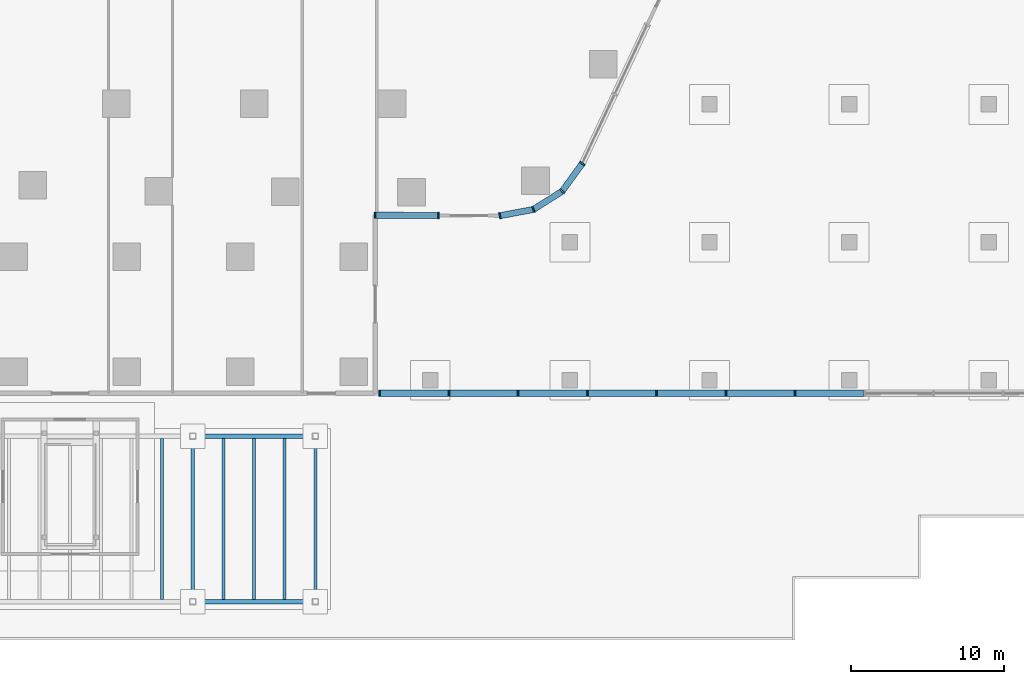
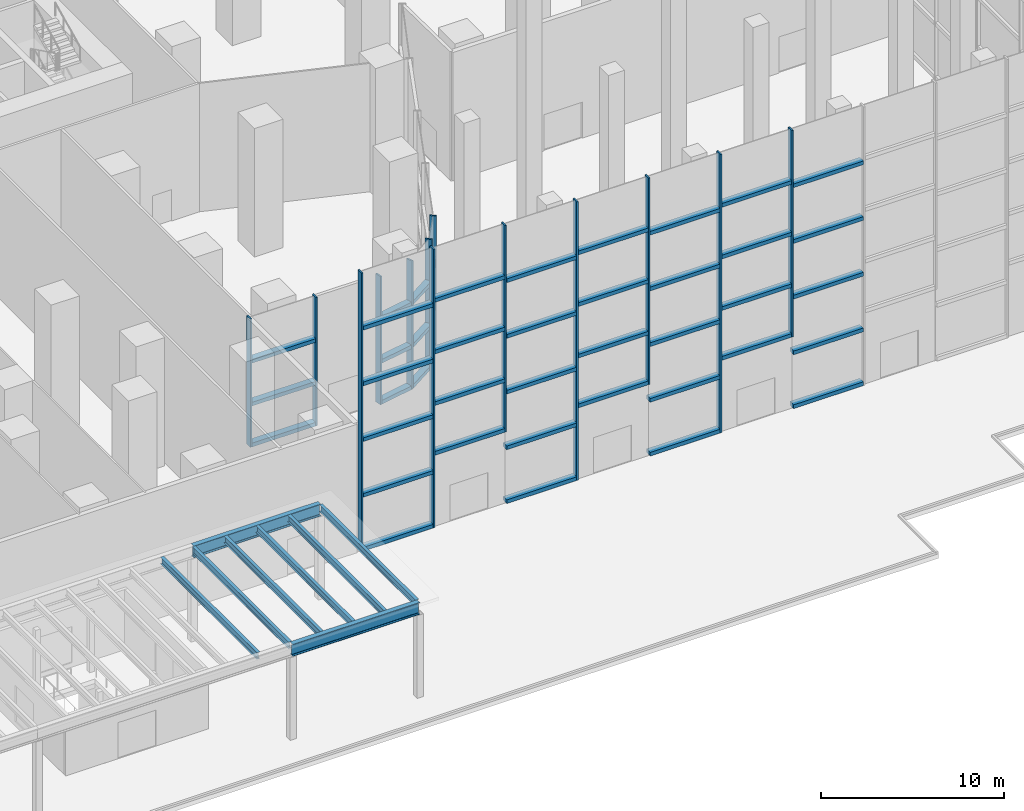
# One storey, part 11 of 40: 57 members, 8 beams, 9 elements without a shape of their own.
"""IFC4 building model written with IfcOpenShell, lengths in metres."""

from ifc_helpers import new_model, si_unit, direction, frame, origin, origin_2d, place, context, subcontext, project, spatial, rectangle, i_section, extrude, material, layer, layer_set, material_profile, profile_set, type_object, element, aggregate, save


model = new_model("IFC4")

# Units and contexts
model_context = context("Model", 3, precision=1e-05, world=origin(), true_north=direction((0.0, 1.0)))
body_context = subcontext(model_context, "Body", "Model", "MODEL_VIEW")
ifc_project = project(units=[si_unit("LENGTHUNIT", "METRE"), si_unit("AREAUNIT", "SQUARE_METRE"), si_unit("VOLUMEUNIT", "CUBIC_METRE"), si_unit("PLANEANGLEUNIT", "RADIAN"), si_unit("MASSUNIT", "GRAM", prefix="KILO")], contexts=[model_context])

# Site, building, storey
site_placement = place(None, origin())
site = spatial("IfcSite", under=ifc_project, at=site_placement, CompositionType="ELEMENT")
building_placement = place(site_placement, origin())
building = spatial("IfcBuilding", under=site, at=building_placement, Name="Dongbaek Canopy Tower", CompositionType="ELEMENT")
storey_placement = place(building_placement, origin())
storey = spatial("IfcBuildingStorey", under=building, at=storey_placement, Name="L00", CompositionType="ELEMENT", Elevation=0.0)

# Curtain wall, members
ifc_material_1 = material(Name="Aluminium 6063-T6 pale anodised", Category="aluminium")
ifc_layer = layer(ifc_material_1, 0.39990234375)
ifc_layer_set = layer_set([ifc_layer], Name="CW-3 lobby double-height curtain wall")
curtain_wall_type = type_object("IfcCurtainWallType", Name="CW-3 lobby double-height curtain wall", PredefinedType="NOTDEFINED", material=ifc_layer_set)
curtain_wall_1_placement = place(storey_placement, origin())
curtain_wall_1 = element("IfcCurtainWall", 1, at=curtain_wall_1_placement, inside=storey, type_object=curtain_wall_type, Name="CW-3 curtain wall K0.1", PredefinedType="NOTDEFINED")
ifc_material_2 = material(Name="Aluminium 6063-T6 pale anodised", Category="aluminium")
ifc_material_profile_1 = material_profile(ifc_material_2, rectangle(XDim=0.39990234375, YDim=0.10009765625, at=origin_2d()), Name="CW-3 mullion 100 x 400")
ifc_profile_set_1 = profile_set([ifc_material_profile_1], Name="Aluminium 6063-T6 pale anodised")
member_type_1 = type_object("IfcMemberType", Name="CW-3 mullion 100 x 400", PredefinedType="MULLION", material=ifc_profile_set_1)
member_1_placement = place(storey_placement, frame((16.03662109375, -34.31591796875, 0.0), z_axis=(0.0, 0.0, 1.0), x_axis=(0.184024020391, -0.98292174659, 0.0)))
member_1 = element("IfcMember", 2, at=member_1_placement, type_object=member_type_1, Name="CW-3 mullion K0.1.1", PredefinedType="MULLION", context=body_context, shape_type="SweptSolid", body=[
    extrude(rectangle(XDim=0.39990234375, YDim=0.10009765625, at=origin_2d()), origin(), (0.0, 0.0, 1.0), 8.550048828125),
])
member_2_placement = place(storey_placement, frame((18.23095703125, -33.9052734375, 0.0), z_axis=(0.0, 0.0, 1.0), x_axis=(0.365922378018, -0.930645374601, 0.0)))
member_2 = element("IfcMember", 3, at=member_2_placement, type_object=member_type_1, Name="CW-3 mullion K0.1.2", PredefinedType="MULLION", context=body_context, shape_type="SweptSolid", body=[
    extrude(rectangle(XDim=0.39990234375, YDim=0.10009765625, at=origin_2d()), origin(), (0.0, 0.0, 1.0), 8.550048828125),
])
member_3_placement = place(storey_placement, frame((20.10888671875, -32.716796875, 0.0), z_axis=(0.0, 0.0, 1.0), x_axis=(0.684351137635, -0.729152604342, 0.0)))
member_3 = element("IfcMember", 4, at=member_3_placement, type_object=member_type_1, Name="CW-3 mullion K0.1.3", PredefinedType="MULLION", context=body_context, shape_type="SweptSolid", body=[
    extrude(rectangle(XDim=0.39990234375, YDim=0.10009765625, at=origin_2d()), origin(), (0.0, 0.0, 1.0), 8.550048828125),
])
member_4_placement = place(storey_placement, frame((21.419677734375, -30.909912109375, 0.0), z_axis=(0.0, 0.0, 1.0), x_axis=(0.809475494092, -0.587153663418, 0.0)))
member_4 = element("IfcMember", 5, at=member_4_placement, type_object=member_type_1, Name="CW-3 mullion K0.1.4", PredefinedType="MULLION", context=body_context, shape_type="SweptSolid", body=[
    extrude(rectangle(XDim=0.39990234375, YDim=0.10009765625, at=origin_2d()), origin(), (0.0, 0.0, 1.0), 8.550048828125),
])

curtain_wall_2_placement = place(storey_placement, origin())
curtain_wall_2 = element("IfcCurtainWall", 6, at=curtain_wall_2_placement, inside=storey, type_object=curtain_wall_type, Name="CW-3 curtain wall F17.1", PredefinedType="NOTDEFINED")
member_5_placement = place(storey_placement, frame((7.89990234375, -34.27978515625, 0.0), z_axis=(0.0, 0.0, 1.0), x_axis=(-0.004466151006, -0.999990026698, 0.0)))
member_5 = element("IfcMember", 7, at=member_5_placement, type_object=member_type_1, Name="CW-3 mullion F17.1.1", PredefinedType="MULLION", context=body_context, shape_type="SweptSolid", body=[
    extrude(rectangle(XDim=0.39990234375, YDim=0.10009765625, at=origin_2d()), origin(), (0.0, 0.0, 1.0), 8.550048828125),
])
member_6_placement = place(storey_placement, frame((12.0234375, -34.298095703125, 0.0), z_axis=(0.0, 0.0, 1.0), x_axis=(-0.004466151006, -0.999990026698, 0.0)))
member_6 = element("IfcMember", 8, at=member_6_placement, type_object=member_type_1, Name="CW-3 mullion F17.1.2", PredefinedType="MULLION", context=body_context, shape_type="SweptSolid", body=[
    extrude(rectangle(XDim=0.39990234375, YDim=0.10009765625, at=origin_2d()), origin(), (0.0, 0.0, 1.0), 8.550048828125),
])

curtain_wall_3_placement = place(storey_placement, origin())
curtain_wall_3 = element("IfcCurtainWall", 9, at=curtain_wall_3_placement, inside=storey, type_object=curtain_wall_type, Name="CW-3 curtain wall HSS.1", PredefinedType="NOTDEFINED")
member_7_placement = place(storey_placement, frame((8.199951171875, -45.89990234375, 0.0), z_axis=(0.0, 0.0, 1.0), x_axis=(0.0, -1.0, 0.0)))
member_7 = element("IfcMember", 10, at=member_7_placement, type_object=member_type_1, Name="CW-3 mullion HSS.1.1", PredefinedType="MULLION", context=body_context, shape_type="SweptSolid", body=[
    extrude(rectangle(XDim=0.39990234375, YDim=0.10009765625, at=origin_2d()), origin(), (0.0, 0.0, 1.0), 18.550048828125),
])
member_8_placement = place(storey_placement, frame((12.71826171875, -45.89990234375, 0.0), z_axis=(0.0, 0.0, 1.0), x_axis=(0.0, -1.0, 0.0)))
member_8 = element("IfcMember", 11, at=member_8_placement, type_object=member_type_1, Name="CW-3 mullion HSS.1.2", PredefinedType="MULLION", context=body_context, shape_type="SweptSolid", body=[
    extrude(rectangle(XDim=0.39990234375, YDim=0.10009765625, at=origin_2d()), origin(), (0.0, 0.0, 1.0), 18.550048828125),
])

# Curtain wall, member
curtain_wall_4_placement = place(storey_placement, origin())
curtain_wall_4 = element("IfcCurtainWall", 12, at=curtain_wall_4_placement, inside=storey, type_object=curtain_wall_type, Name="CW-3 curtain wall HSS.2U", PredefinedType="NOTDEFINED")
member_9_placement = place(storey_placement, frame((17.236328125, -45.89990234375, 4.800048828125), z_axis=(0.0, 0.0, 1.0), x_axis=(0.0, -1.0, 0.0)))
member_9 = element("IfcMember", 13, at=member_9_placement, type_object=member_type_1, Name="CW-3 mullion HSS.2U.2", PredefinedType="MULLION", context=body_context, shape_type="SweptSolid", body=[
    extrude(rectangle(XDim=0.39990234375, YDim=0.10009765625, at=origin_2d()), origin(), (0.0, 0.0, 1.0), 13.75),
])

curtain_wall_5_placement = place(storey_placement, origin())
curtain_wall_5 = element("IfcCurtainWall", 14, at=curtain_wall_5_placement, inside=storey, type_object=curtain_wall_type, Name="CW-3 curtain wall HSS.2", PredefinedType="NOTDEFINED")
member_10_placement = place(storey_placement, frame((21.754638671875, -45.89990234375, 0.0), z_axis=(0.0, 0.0, 1.0), x_axis=(0.0, -1.0, 0.0)))
member_10 = element("IfcMember", 15, at=member_10_placement, type_object=member_type_1, Name="CW-3 mullion HSS.2.2", PredefinedType="MULLION", context=body_context, shape_type="SweptSolid", body=[
    extrude(rectangle(XDim=0.39990234375, YDim=0.10009765625, at=origin_2d()), origin(), (0.0, 0.0, 1.0), 18.550048828125),
])

curtain_wall_6_placement = place(storey_placement, origin())
curtain_wall_6 = element("IfcCurtainWall", 16, at=curtain_wall_6_placement, inside=storey, type_object=curtain_wall_type, Name="CW-3 curtain wall HSS.4U", PredefinedType="NOTDEFINED")
member_11_placement = place(storey_placement, frame((26.272705078125, -45.89990234375, 4.800048828125), z_axis=(0.0, 0.0, 1.0), x_axis=(0.0, -1.0, 0.0)))
member_11 = element("IfcMember", 17, at=member_11_placement, type_object=member_type_1, Name="CW-3 mullion HSS.4U.2", PredefinedType="MULLION", context=body_context, shape_type="SweptSolid", body=[
    extrude(rectangle(XDim=0.39990234375, YDim=0.10009765625, at=origin_2d()), origin(), (0.0, 0.0, 1.0), 13.75),
])

curtain_wall_7_placement = place(storey_placement, origin())
curtain_wall_7 = element("IfcCurtainWall", 18, at=curtain_wall_7_placement, inside=storey, type_object=curtain_wall_type, Name="CW-3 curtain wall HSS.3", PredefinedType="NOTDEFINED")
member_12_placement = place(storey_placement, frame((30.791015625, -45.89990234375, 0.0), z_axis=(0.0, 0.0, 1.0), x_axis=(0.0, -1.0, 0.0)))
member_12 = element("IfcMember", 19, at=member_12_placement, type_object=member_type_1, Name="CW-3 mullion HSS.3.2", PredefinedType="MULLION", context=body_context, shape_type="SweptSolid", body=[
    extrude(rectangle(XDim=0.39990234375, YDim=0.10009765625, at=origin_2d()), origin(), (0.0, 0.0, 1.0), 18.550048828125),
])

curtain_wall_8_placement = place(storey_placement, origin())
curtain_wall_8 = element("IfcCurtainWall", 20, at=curtain_wall_8_placement, inside=storey, type_object=curtain_wall_type, Name="CW-3 curtain wall HSS.6U", PredefinedType="NOTDEFINED")
member_13_placement = place(storey_placement, frame((35.30908203125, -45.89990234375, 4.800048828125), z_axis=(0.0, 0.0, 1.0), x_axis=(0.0, -1.0, 0.0)))
member_13 = element("IfcMember", 21, at=member_13_placement, type_object=member_type_1, Name="CW-3 mullion HSS.6U.2", PredefinedType="MULLION", context=body_context, shape_type="SweptSolid", body=[
    extrude(rectangle(XDim=0.39990234375, YDim=0.10009765625, at=origin_2d()), origin(), (0.0, 0.0, 1.0), 13.75),
])

# Member
ifc_material_3 = material(Name="Aluminium 6063-T6 pale anodised", Category="aluminium")
ifc_material_profile_2 = material_profile(ifc_material_3, rectangle(XDim=0.39990234375, YDim=0.25, at=origin_2d()), Name="CW-3 transom 250 x 400")
ifc_profile_set_2 = profile_set([ifc_material_profile_2], Name="Aluminium 6063-T6 pale anodised")
member_type_2 = type_object("IfcMemberType", Name="CW-3 transom 250 x 400", PredefinedType="USERDEFINED", material=ifc_profile_set_2)
member_14_placement = place(storey_placement, frame((16.09765625, -34.3046875, 0.125), z_axis=(0.982903635036, 0.184120732765, 0.0), x_axis=(-0.184120732765, 0.982903635036, 0.0)))
member_14 = element("IfcMember", 22, at=member_14_placement, type_object=member_type_2, Name="CW-3 transom K0.1.1.1", ObjectType="TRANSOM", PredefinedType="USERDEFINED", context=body_context, shape_type="SweptSolid", body=[
    extrude(rectangle(XDim=0.39990234375, YDim=0.25, at=origin_2d()), origin(), (0.0, 0.0, 1.0), 2.1083984375),
])

member_15_placement = place(storey_placement, frame((16.09765625, -34.3046875, 2.85009765625), z_axis=(0.982903635036, 0.184120732765, 0.0), x_axis=(-0.184120732765, 0.982903635036, 0.0)))
member_15 = element("IfcMember", 23, at=member_15_placement, type_object=member_type_2, Name="CW-3 transom K0.1.1.2", ObjectType="TRANSOM", PredefinedType="USERDEFINED", context=body_context, shape_type="SweptSolid", body=[
    extrude(rectangle(XDim=0.39990234375, YDim=0.25, at=origin_2d()), origin(), (0.0, 0.0, 1.0), 2.1083984375),
])

member_16_placement = place(storey_placement, frame((16.09765625, -34.3046875, 5.699951171875), z_axis=(0.982903635036, 0.184120732765, 0.0), x_axis=(-0.184120732765, 0.982903635036, 0.0)))
member_16 = element("IfcMember", 24, at=member_16_placement, type_object=member_type_2, Name="CW-3 transom K0.1.1.3", ObjectType="TRANSOM", PredefinedType="USERDEFINED", context=body_context, shape_type="SweptSolid", body=[
    extrude(rectangle(XDim=0.39990234375, YDim=0.25, at=origin_2d()), origin(), (0.0, 0.0, 1.0), 2.1083984375),
])

member_17_placement = place(storey_placement, frame((18.283203125, -33.8720703125, 0.125), z_axis=(0.845057381566, 0.534675623028, 0.0), x_axis=(-0.534675623028, 0.845057381566, 0.0)))
member_17 = element("IfcMember", 25, at=member_17_placement, type_object=member_type_2, Name="CW-3 transom K0.1.2.1", ObjectType="TRANSOM", PredefinedType="USERDEFINED", context=body_context, shape_type="SweptSolid", body=[
    extrude(rectangle(XDim=0.39990234375, YDim=0.25, at=origin_2d()), origin(), (0.0, 0.0, 1.0), 2.0986328125),
])

member_18_placement = place(storey_placement, frame((18.283203125, -33.8720703125, 2.85009765625), z_axis=(0.845057381566, 0.534675623028, 0.0), x_axis=(-0.534675623028, 0.845057381566, 0.0)))
member_18 = element("IfcMember", 26, at=member_18_placement, type_object=member_type_2, Name="CW-3 transom K0.1.2.2", ObjectType="TRANSOM", PredefinedType="USERDEFINED", context=body_context, shape_type="SweptSolid", body=[
    extrude(rectangle(XDim=0.39990234375, YDim=0.25, at=origin_2d()), origin(), (0.0, 0.0, 1.0), 2.0986328125),
])

member_19_placement = place(storey_placement, frame((18.283203125, -33.8720703125, 5.699951171875), z_axis=(0.845057381566, 0.534675623028, 0.0), x_axis=(-0.534675623028, 0.845057381566, 0.0)))
member_19 = element("IfcMember", 27, at=member_19_placement, type_object=member_type_2, Name="CW-3 transom K0.1.2.3", ObjectType="TRANSOM", PredefinedType="USERDEFINED", context=body_context, shape_type="SweptSolid", body=[
    extrude(rectangle(XDim=0.39990234375, YDim=0.25, at=origin_2d()), origin(), (0.0, 0.0, 1.0), 2.0986328125),
])

member_20_placement = place(storey_placement, frame((20.1455078125, -32.66650390625, 0.125), z_axis=(0.587138350277, 0.809486601269, 0.0), x_axis=(-0.809486601269, 0.587138350277, 0.0)))
member_20 = element("IfcMember", 28, at=member_20_placement, type_object=member_type_2, Name="CW-3 transom K0.1.3.1", ObjectType="TRANSOM", PredefinedType="USERDEFINED", context=body_context, shape_type="SweptSolid", body=[
    extrude(rectangle(XDim=0.39990234375, YDim=0.25, at=origin_2d()), origin(), (0.0, 0.0, 1.0), 2.108154296875),
])

member_21_placement = place(storey_placement, frame((20.1455078125, -32.66650390625, 2.85009765625), z_axis=(0.587138350277, 0.809486601269, 0.0), x_axis=(-0.809486601269, 0.587138350277, 0.0)))
member_21 = element("IfcMember", 29, at=member_21_placement, type_object=member_type_2, Name="CW-3 transom K0.1.3.2", ObjectType="TRANSOM", PredefinedType="USERDEFINED", context=body_context, shape_type="SweptSolid", body=[
    extrude(rectangle(XDim=0.39990234375, YDim=0.25, at=origin_2d()), origin(), (0.0, 0.0, 1.0), 2.108154296875),
])

member_22_placement = place(storey_placement, frame((20.1455078125, -32.66650390625, 5.699951171875), z_axis=(0.587138350277, 0.809486601269, 0.0), x_axis=(-0.809486601269, 0.587138350277, 0.0)))
member_22 = element("IfcMember", 30, at=member_22_placement, type_object=member_type_2, Name="CW-3 transom K0.1.3.3", ObjectType="TRANSOM", PredefinedType="USERDEFINED", context=body_context, shape_type="SweptSolid", body=[
    extrude(rectangle(XDim=0.39990234375, YDim=0.25, at=origin_2d()), origin(), (0.0, 0.0, 1.0), 2.108154296875),
])

aggregate(curtain_wall_1, [member_1, member_2, member_3, member_4, member_14, member_15, member_16, member_17, member_18, member_19, member_20, member_21, member_22])

member_23_placement = place(storey_placement, frame((7.9619140625, -34.280029296875, 0.125), z_axis=(0.999990071688, -0.004456066123, 0.0), x_axis=(0.004456066123, 0.999990071688, 0.0)))
member_23 = element("IfcMember", 31, at=member_23_placement, type_object=member_type_2, Name="CW-3 transom F17.1.1.1", ObjectType="TRANSOM", PredefinedType="USERDEFINED", context=body_context, shape_type="SweptSolid", body=[
    extrude(rectangle(XDim=0.39990234375, YDim=0.25, at=origin_2d()), origin(), (0.0, 0.0, 1.0), 3.99951171875),
])

member_24_placement = place(storey_placement, frame((7.9619140625, -34.280029296875, 2.85009765625), z_axis=(0.999990071688, -0.004456066123, 0.0), x_axis=(0.004456066123, 0.999990071688, 0.0)))
member_24 = element("IfcMember", 32, at=member_24_placement, type_object=member_type_2, Name="CW-3 transom F17.1.1.2", ObjectType="TRANSOM", PredefinedType="USERDEFINED", context=body_context, shape_type="SweptSolid", body=[
    extrude(rectangle(XDim=0.39990234375, YDim=0.25, at=origin_2d()), origin(), (0.0, 0.0, 1.0), 3.99951171875),
])

member_25_placement = place(storey_placement, frame((7.9619140625, -34.280029296875, 5.699951171875), z_axis=(0.999990071688, -0.004456066123, 0.0), x_axis=(0.004456066123, 0.999990071688, 0.0)))
member_25 = element("IfcMember", 33, at=member_25_placement, type_object=member_type_2, Name="CW-3 transom F17.1.1.3", ObjectType="TRANSOM", PredefinedType="USERDEFINED", context=body_context, shape_type="SweptSolid", body=[
    extrude(rectangle(XDim=0.39990234375, YDim=0.25, at=origin_2d()), origin(), (0.0, 0.0, 1.0), 3.99951171875),
])

aggregate(curtain_wall_2, [member_5, member_6, member_23, member_24, member_25])

member_26_placement = place(storey_placement, frame((8.261962890625, -45.89990234375, 0.125), z_axis=(1.0, 0.0, 0.0), x_axis=(0.0, 1.0, 0.0)))
member_26 = element("IfcMember", 34, at=member_26_placement, type_object=member_type_2, Name="CW-3 transom HSS.1.1.1", ObjectType="TRANSOM", PredefinedType="USERDEFINED", context=body_context, shape_type="SweptSolid", body=[
    extrude(rectangle(XDim=0.39990234375, YDim=0.25, at=origin_2d()), origin(), (0.0, 0.0, 1.0), 4.394287109375),
])

member_27_placement = place(storey_placement, frame((8.261962890625, -45.89990234375, 3.7099609375), z_axis=(1.0, 0.0, 0.0), x_axis=(0.0, 1.0, 0.0)))
member_27 = element("IfcMember", 35, at=member_27_placement, type_object=member_type_2, Name="CW-3 transom HSS.1.1.2", ObjectType="TRANSOM", PredefinedType="USERDEFINED", context=body_context, shape_type="SweptSolid", body=[
    extrude(rectangle(XDim=0.39990234375, YDim=0.25, at=origin_2d()), origin(), (0.0, 0.0, 1.0), 4.394287109375),
])

member_28_placement = place(storey_placement, frame((8.261962890625, -45.89990234375, 7.419921875), z_axis=(1.0, 0.0, 0.0), x_axis=(0.0, 1.0, 0.0)))
member_28 = element("IfcMember", 36, at=member_28_placement, type_object=member_type_2, Name="CW-3 transom HSS.1.1.3", ObjectType="TRANSOM", PredefinedType="USERDEFINED", context=body_context, shape_type="SweptSolid", body=[
    extrude(rectangle(XDim=0.39990234375, YDim=0.25, at=origin_2d()), origin(), (0.0, 0.0, 1.0), 4.394287109375),
])

member_29_placement = place(storey_placement, frame((8.261962890625, -45.89990234375, 11.1298828125), z_axis=(1.0, 0.0, 0.0), x_axis=(0.0, 1.0, 0.0)))
member_29 = element("IfcMember", 37, at=member_29_placement, type_object=member_type_2, Name="CW-3 transom HSS.1.1.4", ObjectType="TRANSOM", PredefinedType="USERDEFINED", context=body_context, shape_type="SweptSolid", body=[
    extrude(rectangle(XDim=0.39990234375, YDim=0.25, at=origin_2d()), origin(), (0.0, 0.0, 1.0), 4.394287109375),
])

member_30_placement = place(storey_placement, frame((8.261962890625, -45.89990234375, 14.840087890625), z_axis=(1.0, 0.0, 0.0), x_axis=(0.0, 1.0, 0.0)))
member_30 = element("IfcMember", 38, at=member_30_placement, type_object=member_type_2, Name="CW-3 transom HSS.1.1.5", ObjectType="TRANSOM", PredefinedType="USERDEFINED", context=body_context, shape_type="SweptSolid", body=[
    extrude(rectangle(XDim=0.39990234375, YDim=0.25, at=origin_2d()), origin(), (0.0, 0.0, 1.0), 4.394287109375),
])

aggregate(curtain_wall_3, [member_7, member_8, member_26, member_27, member_28, member_29, member_30])

member_31_placement = place(storey_placement, frame((12.7802734375, -45.89990234375, 4.925048828125), z_axis=(1.0, 0.0, 0.0), x_axis=(0.0, 1.0, 0.0)))
member_31 = element("IfcMember", 39, at=member_31_placement, type_object=member_type_2, Name="CW-3 transom HSS.2U.1.1", ObjectType="TRANSOM", PredefinedType="USERDEFINED", context=body_context, shape_type="SweptSolid", body=[
    extrude(rectangle(XDim=0.39990234375, YDim=0.25, at=origin_2d()), origin(), (0.0, 0.0, 1.0), 4.39404296875),
])

member_32_placement = place(storey_placement, frame((12.7802734375, -45.89990234375, 8.237548828125), z_axis=(1.0, 0.0, 0.0), x_axis=(0.0, 1.0, 0.0)))
member_32 = element("IfcMember", 40, at=member_32_placement, type_object=member_type_2, Name="CW-3 transom HSS.2U.1.2", ObjectType="TRANSOM", PredefinedType="USERDEFINED", context=body_context, shape_type="SweptSolid", body=[
    extrude(rectangle(XDim=0.39990234375, YDim=0.25, at=origin_2d()), origin(), (0.0, 0.0, 1.0), 4.39404296875),
])

member_33_placement = place(storey_placement, frame((12.7802734375, -45.89990234375, 11.675048828125), z_axis=(1.0, 0.0, 0.0), x_axis=(0.0, 1.0, 0.0)))
member_33 = element("IfcMember", 41, at=member_33_placement, type_object=member_type_2, Name="CW-3 transom HSS.2U.1.3", ObjectType="TRANSOM", PredefinedType="USERDEFINED", context=body_context, shape_type="SweptSolid", body=[
    extrude(rectangle(XDim=0.39990234375, YDim=0.25, at=origin_2d()), origin(), (0.0, 0.0, 1.0), 4.39404296875),
])

member_34_placement = place(storey_placement, frame((12.7802734375, -45.89990234375, 15.112548828125), z_axis=(1.0, 0.0, 0.0), x_axis=(0.0, 1.0, 0.0)))
member_34 = element("IfcMember", 42, at=member_34_placement, type_object=member_type_2, Name="CW-3 transom HSS.2U.1.4", ObjectType="TRANSOM", PredefinedType="USERDEFINED", context=body_context, shape_type="SweptSolid", body=[
    extrude(rectangle(XDim=0.39990234375, YDim=0.25, at=origin_2d()), origin(), (0.0, 0.0, 1.0), 4.39404296875),
])

aggregate(curtain_wall_4, [member_9, member_31, member_32, member_33, member_34])

member_35_placement = place(storey_placement, frame((17.29833984375, -45.89990234375, 0.125), z_axis=(1.0, 0.0, 0.0), x_axis=(0.0, 1.0, 0.0)))
member_35 = element("IfcMember", 43, at=member_35_placement, type_object=member_type_2, Name="CW-3 transom HSS.2.1.1", ObjectType="TRANSOM", PredefinedType="USERDEFINED", context=body_context, shape_type="SweptSolid", body=[
    extrude(rectangle(XDim=0.39990234375, YDim=0.25, at=origin_2d()), origin(), (0.0, 0.0, 1.0), 4.394287109375),
])

member_36_placement = place(storey_placement, frame((17.29833984375, -45.89990234375, 3.7099609375), z_axis=(1.0, 0.0, 0.0), x_axis=(0.0, 1.0, 0.0)))
member_36 = element("IfcMember", 44, at=member_36_placement, type_object=member_type_2, Name="CW-3 transom HSS.2.1.2", ObjectType="TRANSOM", PredefinedType="USERDEFINED", context=body_context, shape_type="SweptSolid", body=[
    extrude(rectangle(XDim=0.39990234375, YDim=0.25, at=origin_2d()), origin(), (0.0, 0.0, 1.0), 4.394287109375),
])

member_37_placement = place(storey_placement, frame((17.29833984375, -45.89990234375, 7.419921875), z_axis=(1.0, 0.0, 0.0), x_axis=(0.0, 1.0, 0.0)))
member_37 = element("IfcMember", 45, at=member_37_placement, type_object=member_type_2, Name="CW-3 transom HSS.2.1.3", ObjectType="TRANSOM", PredefinedType="USERDEFINED", context=body_context, shape_type="SweptSolid", body=[
    extrude(rectangle(XDim=0.39990234375, YDim=0.25, at=origin_2d()), origin(), (0.0, 0.0, 1.0), 4.394287109375),
])

member_38_placement = place(storey_placement, frame((17.29833984375, -45.89990234375, 11.1298828125), z_axis=(1.0, 0.0, 0.0), x_axis=(0.0, 1.0, 0.0)))
member_38 = element("IfcMember", 46, at=member_38_placement, type_object=member_type_2, Name="CW-3 transom HSS.2.1.4", ObjectType="TRANSOM", PredefinedType="USERDEFINED", context=body_context, shape_type="SweptSolid", body=[
    extrude(rectangle(XDim=0.39990234375, YDim=0.25, at=origin_2d()), origin(), (0.0, 0.0, 1.0), 4.394287109375),
])

member_39_placement = place(storey_placement, frame((17.29833984375, -45.89990234375, 14.840087890625), z_axis=(1.0, 0.0, 0.0), x_axis=(0.0, 1.0, 0.0)))
member_39 = element("IfcMember", 47, at=member_39_placement, type_object=member_type_2, Name="CW-3 transom HSS.2.1.5", ObjectType="TRANSOM", PredefinedType="USERDEFINED", context=body_context, shape_type="SweptSolid", body=[
    extrude(rectangle(XDim=0.39990234375, YDim=0.25, at=origin_2d()), origin(), (0.0, 0.0, 1.0), 4.394287109375),
])

aggregate(curtain_wall_5, [member_10, member_35, member_36, member_37, member_38, member_39])

member_40_placement = place(storey_placement, frame((21.816650390625, -45.89990234375, 4.925048828125), z_axis=(1.0, 0.0, 0.0), x_axis=(0.0, 1.0, 0.0)))
member_40 = element("IfcMember", 48, at=member_40_placement, type_object=member_type_2, Name="CW-3 transom HSS.4U.1.1", ObjectType="TRANSOM", PredefinedType="USERDEFINED", context=body_context, shape_type="SweptSolid", body=[
    extrude(rectangle(XDim=0.39990234375, YDim=0.25, at=origin_2d()), origin(), (0.0, 0.0, 1.0), 4.39404296875),
])

member_41_placement = place(storey_placement, frame((21.816650390625, -45.89990234375, 8.237548828125), z_axis=(1.0, 0.0, 0.0), x_axis=(0.0, 1.0, 0.0)))
member_41 = element("IfcMember", 49, at=member_41_placement, type_object=member_type_2, Name="CW-3 transom HSS.4U.1.2", ObjectType="TRANSOM", PredefinedType="USERDEFINED", context=body_context, shape_type="SweptSolid", body=[
    extrude(rectangle(XDim=0.39990234375, YDim=0.25, at=origin_2d()), origin(), (0.0, 0.0, 1.0), 4.39404296875),
])

member_42_placement = place(storey_placement, frame((21.816650390625, -45.89990234375, 11.675048828125), z_axis=(1.0, 0.0, 0.0), x_axis=(0.0, 1.0, 0.0)))
member_42 = element("IfcMember", 50, at=member_42_placement, type_object=member_type_2, Name="CW-3 transom HSS.4U.1.3", ObjectType="TRANSOM", PredefinedType="USERDEFINED", context=body_context, shape_type="SweptSolid", body=[
    extrude(rectangle(XDim=0.39990234375, YDim=0.25, at=origin_2d()), origin(), (0.0, 0.0, 1.0), 4.39404296875),
])

member_43_placement = place(storey_placement, frame((21.816650390625, -45.89990234375, 15.112548828125), z_axis=(1.0, 0.0, 0.0), x_axis=(0.0, 1.0, 0.0)))
member_43 = element("IfcMember", 51, at=member_43_placement, type_object=member_type_2, Name="CW-3 transom HSS.4U.1.4", ObjectType="TRANSOM", PredefinedType="USERDEFINED", context=body_context, shape_type="SweptSolid", body=[
    extrude(rectangle(XDim=0.39990234375, YDim=0.25, at=origin_2d()), origin(), (0.0, 0.0, 1.0), 4.39404296875),
])

aggregate(curtain_wall_6, [member_11, member_40, member_41, member_42, member_43])

member_44_placement = place(storey_placement, frame((26.334716796875, -45.89990234375, 0.125), z_axis=(1.0, 0.0, 0.0), x_axis=(0.0, 1.0, 0.0)))
member_44 = element("IfcMember", 52, at=member_44_placement, type_object=member_type_2, Name="CW-3 transom HSS.3.1.1", ObjectType="TRANSOM", PredefinedType="USERDEFINED", context=body_context, shape_type="SweptSolid", body=[
    extrude(rectangle(XDim=0.39990234375, YDim=0.25, at=origin_2d()), origin(), (0.0, 0.0, 1.0), 4.394287109375),
])

member_45_placement = place(storey_placement, frame((26.334716796875, -45.89990234375, 3.7099609375), z_axis=(1.0, 0.0, 0.0), x_axis=(0.0, 1.0, 0.0)))
member_45 = element("IfcMember", 53, at=member_45_placement, type_object=member_type_2, Name="CW-3 transom HSS.3.1.2", ObjectType="TRANSOM", PredefinedType="USERDEFINED", context=body_context, shape_type="SweptSolid", body=[
    extrude(rectangle(XDim=0.39990234375, YDim=0.25, at=origin_2d()), origin(), (0.0, 0.0, 1.0), 4.394287109375),
])

member_46_placement = place(storey_placement, frame((26.334716796875, -45.89990234375, 7.419921875), z_axis=(1.0, 0.0, 0.0), x_axis=(0.0, 1.0, 0.0)))
member_46 = element("IfcMember", 54, at=member_46_placement, type_object=member_type_2, Name="CW-3 transom HSS.3.1.3", ObjectType="TRANSOM", PredefinedType="USERDEFINED", context=body_context, shape_type="SweptSolid", body=[
    extrude(rectangle(XDim=0.39990234375, YDim=0.25, at=origin_2d()), origin(), (0.0, 0.0, 1.0), 4.394287109375),
])

member_47_placement = place(storey_placement, frame((26.334716796875, -45.89990234375, 11.1298828125), z_axis=(1.0, 0.0, 0.0), x_axis=(0.0, 1.0, 0.0)))
member_47 = element("IfcMember", 55, at=member_47_placement, type_object=member_type_2, Name="CW-3 transom HSS.3.1.4", ObjectType="TRANSOM", PredefinedType="USERDEFINED", context=body_context, shape_type="SweptSolid", body=[
    extrude(rectangle(XDim=0.39990234375, YDim=0.25, at=origin_2d()), origin(), (0.0, 0.0, 1.0), 4.394287109375),
])

member_48_placement = place(storey_placement, frame((26.334716796875, -45.89990234375, 14.840087890625), z_axis=(1.0, 0.0, 0.0), x_axis=(0.0, 1.0, 0.0)))
member_48 = element("IfcMember", 56, at=member_48_placement, type_object=member_type_2, Name="CW-3 transom HSS.3.1.5", ObjectType="TRANSOM", PredefinedType="USERDEFINED", context=body_context, shape_type="SweptSolid", body=[
    extrude(rectangle(XDim=0.39990234375, YDim=0.25, at=origin_2d()), origin(), (0.0, 0.0, 1.0), 4.394287109375),
])

aggregate(curtain_wall_7, [member_12, member_44, member_45, member_46, member_47, member_48])

member_49_placement = place(storey_placement, frame((30.85302734375, -45.89990234375, 4.925048828125), z_axis=(1.0, 0.0, 0.0), x_axis=(0.0, 1.0, 0.0)))
member_49 = element("IfcMember", 57, at=member_49_placement, type_object=member_type_2, Name="CW-3 transom HSS.6U.1.1", ObjectType="TRANSOM", PredefinedType="USERDEFINED", context=body_context, shape_type="SweptSolid", body=[
    extrude(rectangle(XDim=0.39990234375, YDim=0.25, at=origin_2d()), origin(), (0.0, 0.0, 1.0), 4.39404296875),
])

member_50_placement = place(storey_placement, frame((30.85302734375, -45.89990234375, 8.237548828125), z_axis=(1.0, 0.0, 0.0), x_axis=(0.0, 1.0, 0.0)))
member_50 = element("IfcMember", 58, at=member_50_placement, type_object=member_type_2, Name="CW-3 transom HSS.6U.1.2", ObjectType="TRANSOM", PredefinedType="USERDEFINED", context=body_context, shape_type="SweptSolid", body=[
    extrude(rectangle(XDim=0.39990234375, YDim=0.25, at=origin_2d()), origin(), (0.0, 0.0, 1.0), 4.39404296875),
])

member_51_placement = place(storey_placement, frame((30.85302734375, -45.89990234375, 11.675048828125), z_axis=(1.0, 0.0, 0.0), x_axis=(0.0, 1.0, 0.0)))
member_51 = element("IfcMember", 59, at=member_51_placement, type_object=member_type_2, Name="CW-3 transom HSS.6U.1.3", ObjectType="TRANSOM", PredefinedType="USERDEFINED", context=body_context, shape_type="SweptSolid", body=[
    extrude(rectangle(XDim=0.39990234375, YDim=0.25, at=origin_2d()), origin(), (0.0, 0.0, 1.0), 4.39404296875),
])

member_52_placement = place(storey_placement, frame((30.85302734375, -45.89990234375, 15.112548828125), z_axis=(1.0, 0.0, 0.0), x_axis=(0.0, 1.0, 0.0)))
member_52 = element("IfcMember", 60, at=member_52_placement, type_object=member_type_2, Name="CW-3 transom HSS.6U.1.4", ObjectType="TRANSOM", PredefinedType="USERDEFINED", context=body_context, shape_type="SweptSolid", body=[
    extrude(rectangle(XDim=0.39990234375, YDim=0.25, at=origin_2d()), origin(), (0.0, 0.0, 1.0), 4.39404296875),
])

aggregate(curtain_wall_8, [member_13, member_49, member_50, member_51, member_52])

# Curtain wall, members
curtain_wall_9_placement = place(storey_placement, origin())
curtain_wall_9 = element("IfcCurtainWall", 61, at=curtain_wall_9_placement, inside=storey, type_object=curtain_wall_type, Name="CW-3 curtain wall HSS.4", PredefinedType="NOTDEFINED")
member_53_placement = place(storey_placement, frame((35.37109375, -45.89990234375, 0.125), z_axis=(1.0, 0.0, 0.0), x_axis=(0.0, 1.0, 0.0)))
member_53 = element("IfcMember", 62, at=member_53_placement, type_object=member_type_2, Name="CW-3 transom HSS.4.1.1", ObjectType="TRANSOM", PredefinedType="USERDEFINED", context=body_context, shape_type="SweptSolid", body=[
    extrude(rectangle(XDim=0.39990234375, YDim=0.25, at=origin_2d()), origin(), (0.0, 0.0, 1.0), 4.394287109375),
])
member_54_placement = place(storey_placement, frame((35.37109375, -45.89990234375, 3.7099609375), z_axis=(1.0, 0.0, 0.0), x_axis=(0.0, 1.0, 0.0)))
member_54 = element("IfcMember", 63, at=member_54_placement, type_object=member_type_2, Name="CW-3 transom HSS.4.1.2", ObjectType="TRANSOM", PredefinedType="USERDEFINED", context=body_context, shape_type="SweptSolid", body=[
    extrude(rectangle(XDim=0.39990234375, YDim=0.25, at=origin_2d()), origin(), (0.0, 0.0, 1.0), 4.394287109375),
])
member_55_placement = place(storey_placement, frame((35.37109375, -45.89990234375, 7.419921875), z_axis=(1.0, 0.0, 0.0), x_axis=(0.0, 1.0, 0.0)))
member_55 = element("IfcMember", 64, at=member_55_placement, type_object=member_type_2, Name="CW-3 transom HSS.4.1.3", ObjectType="TRANSOM", PredefinedType="USERDEFINED", context=body_context, shape_type="SweptSolid", body=[
    extrude(rectangle(XDim=0.39990234375, YDim=0.25, at=origin_2d()), origin(), (0.0, 0.0, 1.0), 4.394287109375),
])
member_56_placement = place(storey_placement, frame((35.37109375, -45.89990234375, 11.1298828125), z_axis=(1.0, 0.0, 0.0), x_axis=(0.0, 1.0, 0.0)))
member_56 = element("IfcMember", 65, at=member_56_placement, type_object=member_type_2, Name="CW-3 transom HSS.4.1.4", ObjectType="TRANSOM", PredefinedType="USERDEFINED", context=body_context, shape_type="SweptSolid", body=[
    extrude(rectangle(XDim=0.39990234375, YDim=0.25, at=origin_2d()), origin(), (0.0, 0.0, 1.0), 4.394287109375),
])
member_57_placement = place(storey_placement, frame((35.37109375, -45.89990234375, 14.840087890625), z_axis=(1.0, 0.0, 0.0), x_axis=(0.0, 1.0, 0.0)))
member_57 = element("IfcMember", 66, at=member_57_placement, type_object=member_type_2, Name="CW-3 transom HSS.4.1.5", ObjectType="TRANSOM", PredefinedType="USERDEFINED", context=body_context, shape_type="SweptSolid", body=[
    extrude(rectangle(XDim=0.39990234375, YDim=0.25, at=origin_2d()), origin(), (0.0, 0.0, 1.0), 4.394287109375),
])
aggregate(curtain_wall_9, [member_53, member_54, member_55, member_56, member_57])

# Beams
ifc_material_4 = material(Name="Steel S355", Category="steel")
ifc_material_profile_3 = material_profile(ifc_material_4, i_section(OverallWidth=0.199951171875, OverallDepth=0.449951171875, WebThickness=0.009033203125, FlangeThickness=0.013916015625, FilletRadius=0.01806640625, at=origin_2d()), Name="STATION CANOPY BEAM 450x200x9x14 Steel S355")
ifc_profile_set_3 = profile_set([ifc_material_profile_3], Name="Steel S355")
beam_type_1 = type_object("IfcBeamType", Name="STATION CANOPY BEAM 450x200x9x14 Steel S355", PredefinedType="BEAM", material=ifc_profile_set_3)
for number, where, z_axis, x_axis, name in (
    (67, (-6.0, -59.35009765625, 6.074951171875), (0.0, 1.0, 0.0), (-1.0, 0.0, 0.0), "Station canopy A beam 12"),
    (68, (-4.0, -59.35009765625, 6.074951171875), (0.0, 1.0, 0.0), (-1.0, 0.0, 0.0), "Station canopy A beam 13"),
    (69, (-2.0, -59.35009765625, 6.074951171875), (0.0, 1.0, 0.0), (-1.0, 0.0, 0.0), "Station canopy A beam 14"),
    (70, (0.0, -59.35009765625, 6.074951171875), (0.0, 1.0, 0.0), (-1.0, 0.0, 0.0), "Station canopy A beam 15"),
    (71, (2.0, -59.35009765625, 6.074951171875), (0.0, 1.0, 0.0), (-1.0, 0.0, 0.0), "Station canopy A beam 16"),
    (72, (4.0, -59.35009765625, 6.074951171875), (0.0, 1.0, 0.0), (-1.0, 0.0, 0.0), "Station canopy A beam 17"),
):
    element("IfcBeam", number, at=place(storey_placement, frame(where, z_axis=z_axis, x_axis=x_axis)), inside=storey, type_object=beam_type_1, Name=name, PredefinedType="BEAM", context=body_context, shape_type="SweptSolid", body=[
        extrude(i_section(OverallWidth=0.199951171875, OverallDepth=0.449951171875, WebThickness=0.009033203125, FlangeThickness=0.013916015625, FilletRadius=0.01806640625, at=origin_2d()), origin(), (0.0, 0.0, 1.0), 10.5),
    ])
ifc_material_5 = material(Name="Steel S355", Category="steel")
ifc_material_profile_4 = material_profile(ifc_material_5, i_section(OverallWidth=0.300048828125, OverallDepth=0.800048828125, WebThickness=0.013916015625, FlangeThickness=0.02587890625, FilletRadius=0.028076171875, at=origin_2d()), Name="STATION CANOPY GIRDER 800x300x14x26 Steel S355")
ifc_profile_set_4 = profile_set([ifc_material_profile_4], Name="Steel S355")
beam_type_2 = type_object("IfcBeamType", Name="STATION CANOPY GIRDER 800x300x14x26 Steel S355", PredefinedType="BEAM", material=ifc_profile_set_4)
for number, where, z_axis, x_axis, name in (
    (73, (-4.0, -48.699951171875, 5.89990234375), (1.0, 0.0, 0.0), (0.0, 1.0, 0.0), "Station canopy A girder 3"),
    (74, (-4.0, -59.5, 5.89990234375), (1.0, 0.0, 0.0), (0.0, 1.0, 0.0), "Station canopy A girder 6"),
):
    element("IfcBeam", number, at=place(storey_placement, frame(where, z_axis=z_axis, x_axis=x_axis)), inside=storey, type_object=beam_type_2, Name=name, PredefinedType="BEAM", context=body_context, shape_type="SweptSolid", body=[
        extrude(i_section(OverallWidth=0.300048828125, OverallDepth=0.800048828125, WebThickness=0.013916015625, FlangeThickness=0.02587890625, FilletRadius=0.028076171875, at=origin_2d()), origin(), (0.0, 0.0, 1.0), 8.0),
    ])

save(model, "model.ifc")
